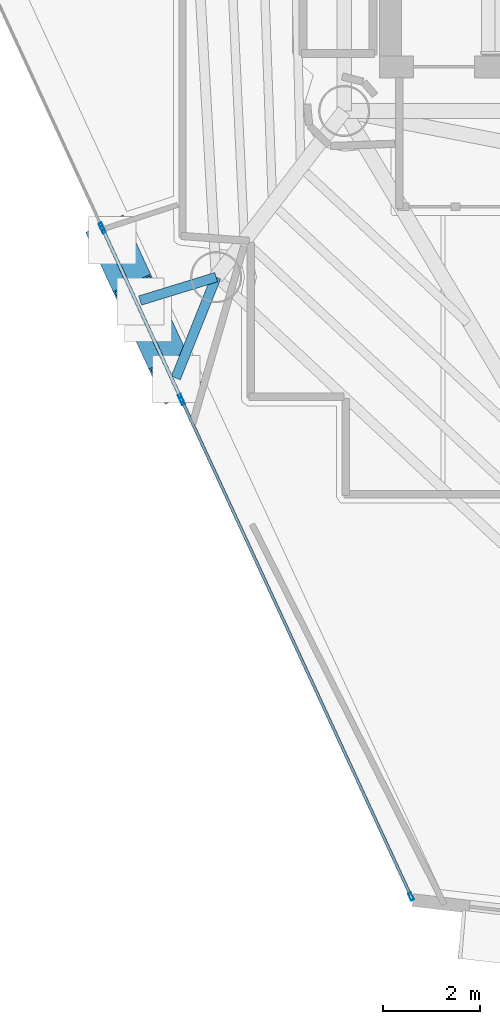
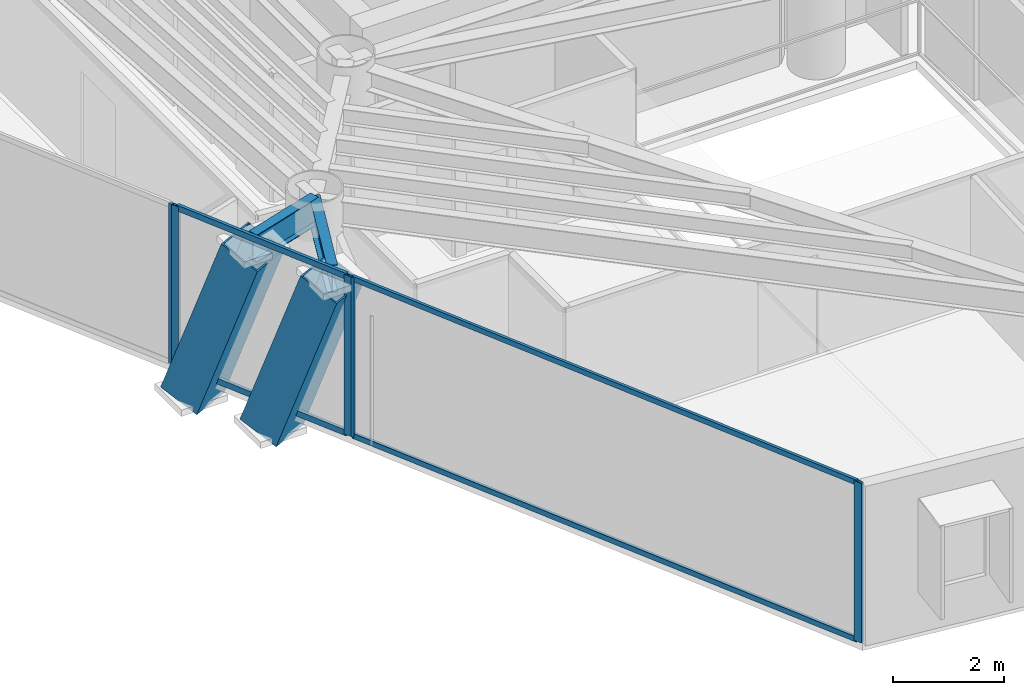
# One storey, part 2 of 21: 11 members, 2 beams, 3 elements without a shape of their own.
"""IFC4 building model written with IfcOpenShell, lengths in metres."""

from ifc_helpers import new_model, si_unit, direction, frame, origin, origin_2d, place, context, subcontext, project, spatial, hollow_rectangle, i_section, extrude, material, layer, layer_set, material_profile, profile_set, type_object, element, aggregate, save


model = new_model("IFC4")

# Units and contexts
model_context = context("Model", 3, precision=1e-05, world=origin(), true_north=direction((0.0, 1.0)))
body_context = subcontext(model_context, "Body", "Model", "MODEL_VIEW")
ifc_project = project(units=[si_unit("LENGTHUNIT", "METRE"), si_unit("AREAUNIT", "SQUARE_METRE"), si_unit("VOLUMEUNIT", "CUBIC_METRE"), si_unit("PLANEANGLEUNIT", "RADIAN"), si_unit("MASSUNIT", "GRAM", prefix="KILO")], contexts=[model_context])

# Site, building, storey
site_placement = place(None, origin())
site = spatial("IfcSite", under=ifc_project, at=site_placement, CompositionType="ELEMENT")
building_placement = place(site_placement, origin())
building = spatial("IfcBuilding", under=site, at=building_placement, Name="Qianvela Tower", CompositionType="ELEMENT")
storey_placement = place(building_placement, frame((0.0, 0.0, 253.800048828125)))
storey = spatial("IfcBuildingStorey", under=building, at=storey_placement, Name="L65", CompositionType="ELEMENT", Elevation=253.800048828125)

# Beams
ifc_material_1 = material(Name="Steel Q355B", Category="steel")
ifc_material_profile_1 = material_profile(ifc_material_1, i_section(OverallWidth=0.199951171875, OverallDepth=0.60009765625, WebThickness=0.010986328125, FlangeThickness=0.01708984375, at=origin_2d()), Name="HN600x200x11x17")
ifc_profile_set_1 = profile_set([ifc_material_profile_1], Name="Steel Q355B")
beam_type = type_object("IfcBeamType", Name="BM-HN600-GIRD", PredefinedType="BEAM", material=ifc_profile_set_1)
beam_1_placement = place(storey_placement, frame((25.971923828125, 20.43701171875, 3.218017578125), z_axis=(-0.955904691355, -0.293677069321, 0.0), x_axis=(0.293677069321, -0.955904691355, 0.0)))
element("IfcBeam", 1, at=beam_1_placement, inside=storey, type_object=beam_type, Name="L65 Mega-Brace Column Tie Bracket F2-1", PredefinedType="BEAM", context=body_context, shape_type="SweptSolid", body=[
    extrude(i_section(OverallWidth=0.199951171875, OverallDepth=0.60009765625, WebThickness=0.010986328125, FlangeThickness=0.01708984375, at=origin_2d()), origin(), (0.0, 0.0, 1.0), 1.636962890625),
])
beam_2_placement = place(storey_placement, frame((25.971923828125, 20.43701171875, 3.218017578125), z_axis=(-0.371767914184, -0.928325706842, 0.0), x_axis=(0.928325706842, -0.371767914184, 0.0)))
element("IfcBeam", 2, at=beam_2_placement, inside=storey, type_object=beam_type, Name="L65 Mega-Brace Column Tie Bracket F2-2", PredefinedType="BEAM", context=body_context, shape_type="SweptSolid", body=[
    extrude(i_section(OverallWidth=0.199951171875, OverallDepth=0.60009765625, WebThickness=0.010986328125, FlangeThickness=0.01708984375, at=origin_2d()), origin(), (0.0, 0.0, 1.0), 2.2314453125),
])

# Curtain wall, members
ifc_material_2 = material(Name="Anodised Architectural Aluminium and Insulated Spandrel Panel", Category="aluminium")
ifc_layer_1 = layer(ifc_material_2, 0.179931640625)
ifc_layer_set_1 = layer_set([ifc_layer_1], Name="Anodised Architectural Aluminium and Insulated Spandrel Panel")
curtain_wall_type_1 = type_object("IfcCurtainWallType", Name="CW-BRACEBAY", PredefinedType="USERDEFINED", material=ifc_layer_set_1)
curtain_wall_1_placement = place(storey_placement, origin())
curtain_wall_1 = element("IfcCurtainWall", 3, at=curtain_wall_1_placement, inside=storey, type_object=curtain_wall_type_1, Name="L65 CW-BRACEBAY Curtain Wall 04B", ObjectType="CURTAIN_WALL_SYSTEM", PredefinedType="USERDEFINED")
ifc_material_3 = material(Name="Anodised Architectural Aluminium 6063-T6", Category="aluminium")
ifc_material_profile_2 = material_profile(ifc_material_3, hollow_rectangle(XDim=0.06494140625, YDim=0.159912109375, WallThickness=0.0048828125, at=origin_2d()), Name="ALU-MULL-65x160")
ifc_profile_set_2 = profile_set([ifc_material_profile_2], Name="Anodised Architectural Aluminium 6063-T6")
member_type_1 = type_object("IfcMemberType", Name="CW-BRACEBAY-MULL", PredefinedType="MULLION", material=ifc_profile_set_2)
member_1_placement = place(storey_placement, frame((23.64501953125, 21.414794921875, 0.0), z_axis=(0.0, 0.0, 1.0), x_axis=(0.907775995161, 0.419455292743, 0.0)))
member_1 = element("IfcMember", 4, at=member_1_placement, type_object=member_type_1, Name="CW-9 mullion 1", PredefinedType="MULLION", context=body_context, shape_type="SweptSolid", body=[
    extrude(hollow_rectangle(XDim=0.06494140625, YDim=0.159912109375, WallThickness=0.0048828125, at=origin_2d()), origin(), (0.0, 0.0, 1.0), 3.52001953125),
])
member_2_placement = place(storey_placement, frame((25.245361328125, 17.95166015625, 0.0), z_axis=(0.0, 0.0, 1.0), x_axis=(0.907775995161, 0.419455292743, 0.0)))
member_2 = element("IfcMember", 5, at=member_2_placement, type_object=member_type_1, Name="CW-9 mullion 2", PredefinedType="MULLION", context=body_context, shape_type="SweptSolid", body=[
    extrude(hollow_rectangle(XDim=0.06494140625, YDim=0.159912109375, WallThickness=0.0048828125, at=origin_2d()), origin(), (0.0, 0.0, 1.0), 3.52001953125),
])
ifc_material_4 = material(Name="Anodised Architectural Aluminium 6063-T6", Category="aluminium")
ifc_material_profile_3 = material_profile(ifc_material_4, hollow_rectangle(XDim=0.06494140625, YDim=0.1298828125, WallThickness=0.00439453125, at=origin_2d()), Name="ALU-TRAN-65x130")
ifc_profile_set_3 = profile_set([ifc_material_profile_3], Name="Anodised Architectural Aluminium 6063-T6")
member_type_2 = type_object("IfcMemberType", Name="CW-BRACEBAY-TRAN", PredefinedType="USERDEFINED", material=ifc_profile_set_3)
member_3_placement = place(storey_placement, frame((23.65869140625, 21.385498046875, 0.032470703125), z_axis=(0.419450336491, -0.907778285275, 0.0), x_axis=(0.907778285275, 0.419450336491, 0.0)))
member_3 = element("IfcMember", 6, at=member_3_placement, type_object=member_type_2, Name="CW-9 transom 1.1", ObjectType="TRANSOM", PredefinedType="USERDEFINED", context=body_context, shape_type="SweptSolid", body=[
    extrude(hollow_rectangle(XDim=0.06494140625, YDim=0.1298828125, WallThickness=0.00439453125, at=origin_2d()), origin(), (0.0, 0.0, 1.0), 3.750244140625),
])
member_4_placement = place(storey_placement, frame((23.65869140625, 21.385498046875, 3.487548828125), z_axis=(0.419450336491, -0.907778285275, 0.0), x_axis=(0.907778285275, 0.419450336491, 0.0)))
member_4 = element("IfcMember", 7, at=member_4_placement, type_object=member_type_2, Name="CW-9 transom 1.2", ObjectType="TRANSOM", PredefinedType="USERDEFINED", context=body_context, shape_type="SweptSolid", body=[
    extrude(hollow_rectangle(XDim=0.06494140625, YDim=0.1298828125, WallThickness=0.00439453125, at=origin_2d()), origin(), (0.0, 0.0, 1.0), 3.750244140625),
])
aggregate(curtain_wall_1, [member_1, member_2, member_3, member_4])

# Curtain wall, member
ifc_material_5 = material(Name="Anodised Architectural Aluminium and Low-E Glass", Category="aluminium")
ifc_layer_2 = layer(ifc_material_5, 0.159912109375)
ifc_layer_set_2 = layer_set([ifc_layer_2], Name="Anodised Architectural Aluminium and Low-E Glass")
curtain_wall_type_2 = type_object("IfcCurtainWallType", Name="CW-COLIV-Z56", PredefinedType="USERDEFINED", material=ifc_layer_set_2)
curtain_wall_2_placement = place(storey_placement, origin())
curtain_wall_2 = element("IfcCurtainWall", 8, at=curtain_wall_2_placement, inside=storey, type_object=curtain_wall_type_2, Name="L65 CW-COLIV-Z56 Curtain Wall 04A", ObjectType="CURTAIN_WALL_SYSTEM", PredefinedType="USERDEFINED")
ifc_material_6 = material(Name="Anodised Architectural Aluminium 6063-T6", Category="aluminium")
ifc_material_profile_4 = material_profile(ifc_material_6, hollow_rectangle(XDim=0.06494140625, YDim=0.159912109375, WallThickness=0.0048828125, at=origin_2d()), Name="ALU-MULL-65x160")
ifc_profile_set_4 = profile_set([ifc_material_profile_4], Name="Anodised Architectural Aluminium 6063-T6")
member_type_3 = type_object("IfcMemberType", Name="CW-COLIV-Z56-MULL", PredefinedType="MULLION", material=ifc_profile_set_4)
member_5_placement = place(storey_placement, frame((23.617919921875, 21.473876953125, 0.0), z_axis=(0.0, 0.0, 1.0), x_axis=(0.907778824695, 0.419449169072, 0.0)))
member_5 = element("IfcMember", 9, at=member_5_placement, type_object=member_type_3, Name="CW-5 mullion 2", PredefinedType="MULLION", context=body_context, shape_type="SweptSolid", body=[
    extrude(hollow_rectangle(XDim=0.06494140625, YDim=0.159912109375, WallThickness=0.0048828125, at=origin_2d()), origin(), (0.0, 0.0, 1.0), 3.52001953125),
])
aggregate(curtain_wall_2, [member_5])

# Curtain wall, members
curtain_wall_3_placement = place(storey_placement, origin())
curtain_wall_3 = element("IfcCurtainWall", 10, at=curtain_wall_3_placement, inside=storey, type_object=curtain_wall_type_2, Name="L65 CW-COLIV-Z56 Curtain Wall 04C", ObjectType="CURTAIN_WALL_SYSTEM", PredefinedType="USERDEFINED")
member_6_placement = place(storey_placement, frame((25.272705078125, 17.892578125, 0.0), z_axis=(0.0, 0.0, 1.0), x_axis=(0.907778601866, 0.419449651323, 0.0)))
member_6 = element("IfcMember", 11, at=member_6_placement, type_object=member_type_3, Name="CW-5 mullion 1", PredefinedType="MULLION", context=body_context, shape_type="SweptSolid", body=[
    extrude(hollow_rectangle(XDim=0.06494140625, YDim=0.159912109375, WallThickness=0.0048828125, at=origin_2d()), origin(), (0.0, 0.0, 1.0), 3.52001953125),
])
member_7_placement = place(storey_placement, frame((29.973876953125, 7.718017578125, 0.0), z_axis=(0.0, 0.0, 1.0), x_axis=(0.907778601866, 0.419449651323, 0.0)))
member_7 = element("IfcMember", 12, at=member_7_placement, type_object=member_type_3, Name="CW-5 mullion 2", PredefinedType="MULLION", context=body_context, shape_type="SweptSolid", body=[
    extrude(hollow_rectangle(XDim=0.06494140625, YDim=0.159912109375, WallThickness=0.0048828125, at=origin_2d()), origin(), (0.0, 0.0, 1.0), 3.52001953125),
])
ifc_material_7 = material(Name="Anodised Architectural Aluminium 6063-T6", Category="aluminium")
ifc_material_profile_5 = material_profile(ifc_material_7, hollow_rectangle(XDim=0.06005859375, YDim=0.114990234375, WallThickness=0.00390625, at=origin_2d()), Name="ALU-TRAN-60x115")
ifc_profile_set_5 = profile_set([ifc_material_profile_5], Name="Anodised Architectural Aluminium 6063-T6")
member_type_4 = type_object("IfcMemberType", Name="CW-COLIV-Z56-TRAN", PredefinedType="USERDEFINED", material=ifc_profile_set_5)
member_8_placement = place(storey_placement, frame((25.286376953125, 17.86328125, 0.030029296875), z_axis=(0.419448547106, -0.907779112081, 0.0), x_axis=(0.907779112081, 0.419448547106, 0.0)))
member_8 = element("IfcMember", 13, at=member_8_placement, type_object=member_type_4, Name="CW-5 transom 1.1", ObjectType="TRANSOM", PredefinedType="USERDEFINED", context=body_context, shape_type="SweptSolid", body=[
    extrude(hollow_rectangle(XDim=0.06005859375, YDim=0.114990234375, WallThickness=0.00390625, at=origin_2d()), origin(), (0.0, 0.0, 1.0), 11.143310546875),
])
member_9_placement = place(storey_placement, frame((25.286376953125, 17.86328125, 3.489990234375), z_axis=(0.419448547106, -0.907779112081, 0.0), x_axis=(0.907779112081, 0.419448547106, 0.0)))
member_9 = element("IfcMember", 14, at=member_9_placement, type_object=member_type_4, Name="CW-5 transom 1.2", ObjectType="TRANSOM", PredefinedType="USERDEFINED", context=body_context, shape_type="SweptSolid", body=[
    extrude(hollow_rectangle(XDim=0.06005859375, YDim=0.114990234375, WallThickness=0.00390625, at=origin_2d()), origin(), (0.0, 0.0, 1.0), 11.143310546875),
])
aggregate(curtain_wall_3, [member_6, member_7, member_8, member_9])

# Members
ifc_material_8 = material(Name="Steel Q420GJC", Category="steel")
ifc_material_profile_6 = material_profile(ifc_material_8, hollow_rectangle(XDim=0.85009765625, YDim=0.85009765625, WallThickness=0.031982421875, at=origin_2d()), Name="MBOX-850x850x32")
ifc_profile_set_6 = profile_set([ifc_material_profile_6], Name="Steel Q420GJC")
member_type_5 = type_object("IfcMemberType", Name="MBR-MBRACE-850", PredefinedType="BRACE", material=ifc_profile_set_6)
for number, where, z_axis, x_axis, name in (
    (15, (23.844970703125, 21.17333984375, -0.48193359375), (0.142873246556, -0.309258851099, 0.94018413007), (0.907804753637, 0.419393048671, 0.0), "L65 Tier 11 Exterior Mega-Brace F2A"),
    (16, (24.580078125, 19.58251953125, -0.48193359375), (0.142873246556, -0.309258851099, 0.94018413007), (0.907804753637, 0.419393048671, 0.0), "L65 Tier 11 Exterior Mega-Brace F2B"),
):
    element("IfcMember", number, at=place(storey_placement, frame(where, z_axis=z_axis, x_axis=x_axis)), inside=storey, type_object=member_type_5, Name=name, PredefinedType="BRACE", context=body_context, shape_type="SweptSolid", body=[
        extrude(hollow_rectangle(XDim=0.85009765625, YDim=0.85009765625, WallThickness=0.031982421875, at=origin_2d()), origin(), (0.0, 0.0, 1.0), 3.935302734375),
    ])

save(model, "model.ifc")
